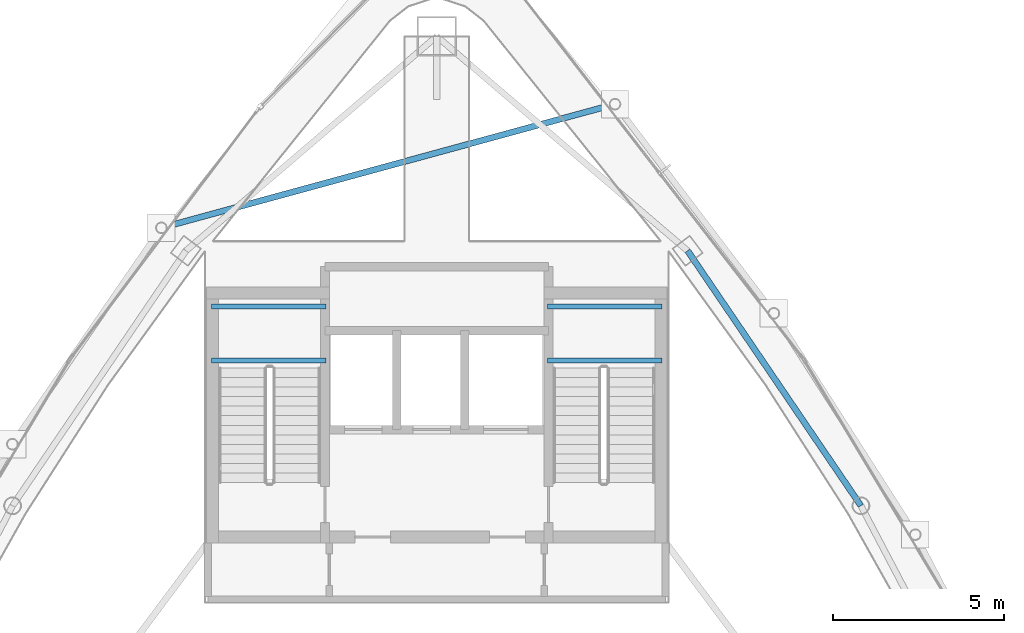
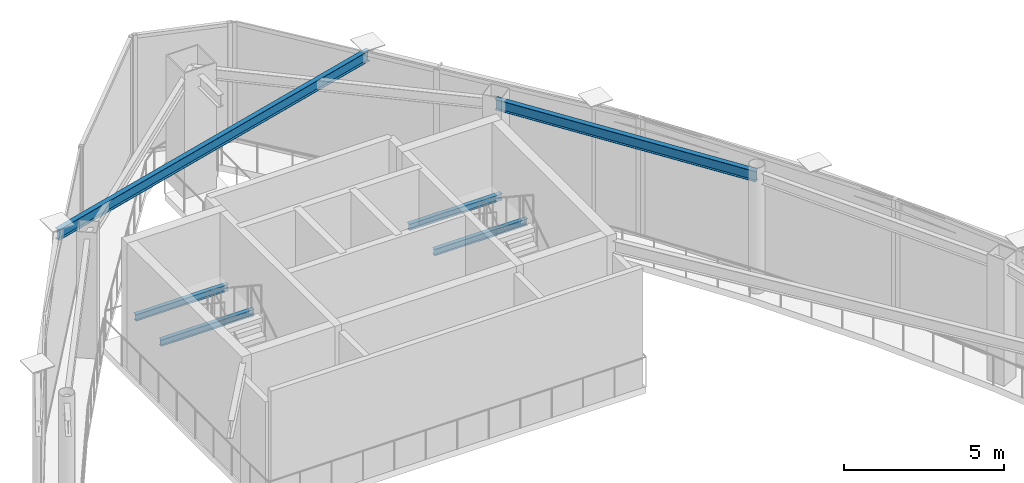
# One storey, part 9 of 19: 6 beams.
"""IFC4 building model written with IfcOpenShell, lengths in metres."""

from ifc_helpers import new_model, si_unit, direction, frame, origin, origin_2d, place, context, subcontext, project, spatial, i_section, extrude, material, material_profile, profile_set, type_object, element, save


model = new_model("IFC4")

# Units and contexts
model_context = context("Model", 3, precision=1e-05, world=origin(), true_north=direction((0.0, 1.0)))
body_context = subcontext(model_context, "Body", "Model", "MODEL_VIEW")
ifc_project = project(units=[si_unit("LENGTHUNIT", "METRE"), si_unit("AREAUNIT", "SQUARE_METRE"), si_unit("VOLUMEUNIT", "CUBIC_METRE"), si_unit("PLANEANGLEUNIT", "RADIAN"), si_unit("MASSUNIT", "GRAM", prefix="KILO")], contexts=[model_context])

# Site, building, storey
site_placement = place(None, origin())
site = spatial("IfcSite", under=ifc_project, at=site_placement, CompositionType="ELEMENT")
building_placement = place(site_placement, origin())
building = spatial("IfcBuilding", under=site, at=building_placement, Name="Orvanel Arch Residences", CompositionType="ELEMENT")
storey_placement = place(building_placement, frame((0.0, 0.0, 290.89990234375)))
storey = spatial("IfcBuildingStorey", under=building, at=storey_placement, Name="L82", CompositionType="ELEMENT", Elevation=290.89990234375)

# Beams
ifc_material = material(Name="Structural steel AS/NZS 3679.1 Grade 300 (300 MPa)", Category="steel")
ifc_material_profile_1 = material_profile(ifc_material, i_section(OverallWidth=0.14599609375, OverallDepth=0.251953125, WebThickness=0.006103515625, FlangeThickness=0.008544921875, at=origin_2d()), Name="250UB31.4")
ifc_profile_set_1 = profile_set([ifc_material_profile_1], Name="Structural steel AS/NZS 3679.1 Grade 300 (300 MPa)")
beam_type_1 = type_object("IfcBeamType", Name="BJ-250UB", PredefinedType="JOIST", material=ifc_profile_set_1)
for number, where, z_axis, x_axis, name in (
    (1, (26.39990234375, 31.89990234375, 2.07421875), (1.0, 0.0, 0.0), (0.0, 1.0, 0.0), "L82 ST-1 Half-Landing Support Beam 1.1"),
    (2, (26.39990234375, 33.47998046875, 2.07421875), (1.0, 0.0, 0.0), (0.0, 1.0, 0.0), "L82 ST-1 Half-Landing Support Beam 1.2"),
    (3, (36.25, 31.89990234375, 2.07421875), (1.0, 0.0, 0.0), (0.0, 1.0, 0.0), "L82 ST-2 Half-Landing Support Beam 1.1"),
    (4, (36.25, 33.47998046875, 2.07421875), (1.0, 0.0, 0.0), (0.0, 1.0, 0.0), "L82 ST-2 Half-Landing Support Beam 1.2"),
):
    element("IfcBeam", number, at=place(storey_placement, frame(where, z_axis=z_axis, x_axis=x_axis)), inside=storey, type_object=beam_type_1, Name=name, PredefinedType="JOIST", context=body_context, shape_type="SweptSolid", body=[
        extrude(i_section(OverallWidth=0.14599609375, OverallDepth=0.251953125, WebThickness=0.006103515625, FlangeThickness=0.008544921875, at=origin_2d()), origin(), (0.0, 0.0, 1.0), 3.35009765625),
    ])
ifc_material_profile_2 = material_profile(ifc_material, i_section(OverallWidth=0.177978515625, OverallDepth=0.406005859375, WebThickness=0.0078125, FlangeThickness=0.0126953125, at=origin_2d()), Name="410UB59.7")
ifc_profile_set_2 = profile_set([ifc_material_profile_2], Name="Structural steel AS/NZS 3679.1 Grade 300 (300 MPa)")
beam_type_2 = type_object("IfcBeamType", Name="OB-410UB", PredefinedType="SPANDREL", material=ifc_profile_set_2)
beam_1_placement = place(storey_placement, frame((45.430908203125, 27.64111328125, 4.34716796875), z_axis=(-0.562154793153, 0.827032035978, 0.0), x_axis=(-0.827032035978, -0.562154793153, 0.0)))
element("IfcBeam", 5, at=beam_1_placement, inside=storey, type_object=beam_type_2, Name="L82 Perimeter Spandrel Beam 08", PredefinedType="SPANDREL", context=body_context, shape_type="SweptSolid", body=[
    extrude(i_section(OverallWidth=0.177978515625, OverallDepth=0.406005859375, WebThickness=0.0078125, FlangeThickness=0.0126953125, at=origin_2d()), origin(), (0.0, 0.0, 1.0), 9.03466796875),
])
ifc_material_profile_3 = material_profile(ifc_material, i_section(OverallWidth=0.177978515625, OverallDepth=0.406005859375, WebThickness=0.0078125, FlangeThickness=0.0126953125, at=origin_2d()), Name="410UB59.7")
ifc_profile_set_3 = profile_set([ifc_material_profile_3], Name="Structural steel AS/NZS 3679.1 Grade 300 (300 MPa)")
beam_type_3 = type_object("IfcBeamType", Name="OB-410UB-EXT", PredefinedType="SPANDREL", material=ifc_profile_set_3)
beam_2_placement = place(storey_placement, frame((38.22412109375, 39.409912109375, 4.34716796875), z_axis=(-0.964794480335, -0.263004963291, 0.0), x_axis=(0.263004963291, -0.964794480335, 0.0)))
element("IfcBeam", 6, at=beam_2_placement, inside=storey, type_object=beam_type_3, Name="L82 Outer Perimeter Floor Ring Beam 12", PredefinedType="SPANDREL", context=body_context, shape_type="SweptSolid", body=[
    extrude(i_section(OverallWidth=0.177978515625, OverallDepth=0.406005859375, WebThickness=0.0078125, FlangeThickness=0.0126953125, at=origin_2d()), origin(), (0.0, 0.0, 1.0), 13.779296875),
])

save(model, "model.ifc")
